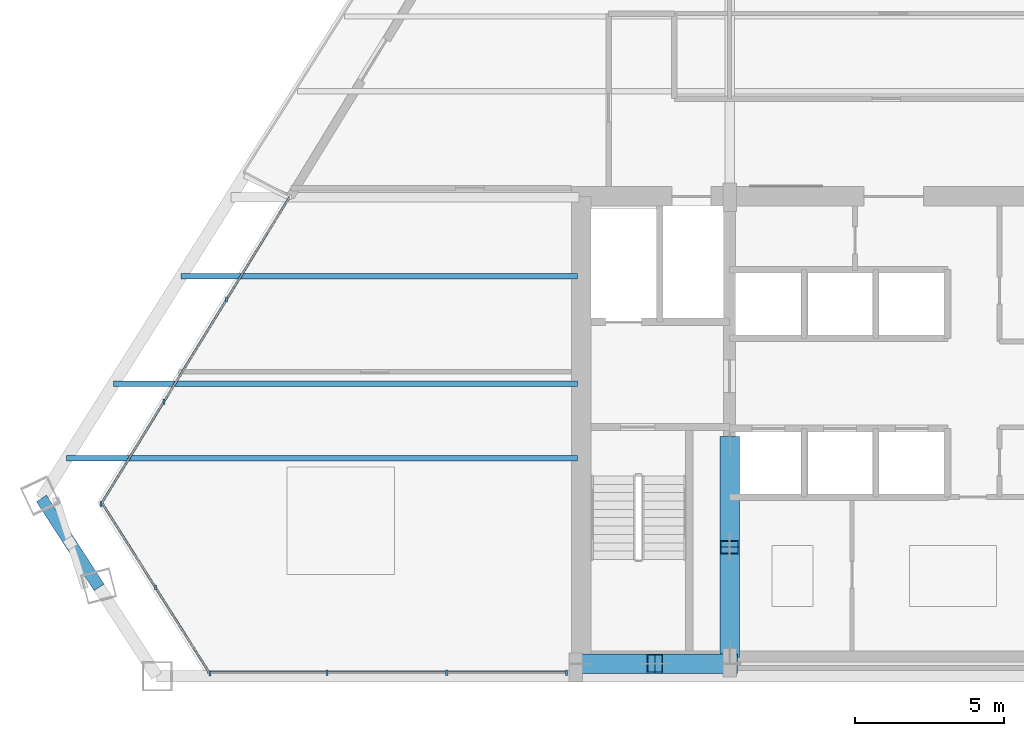
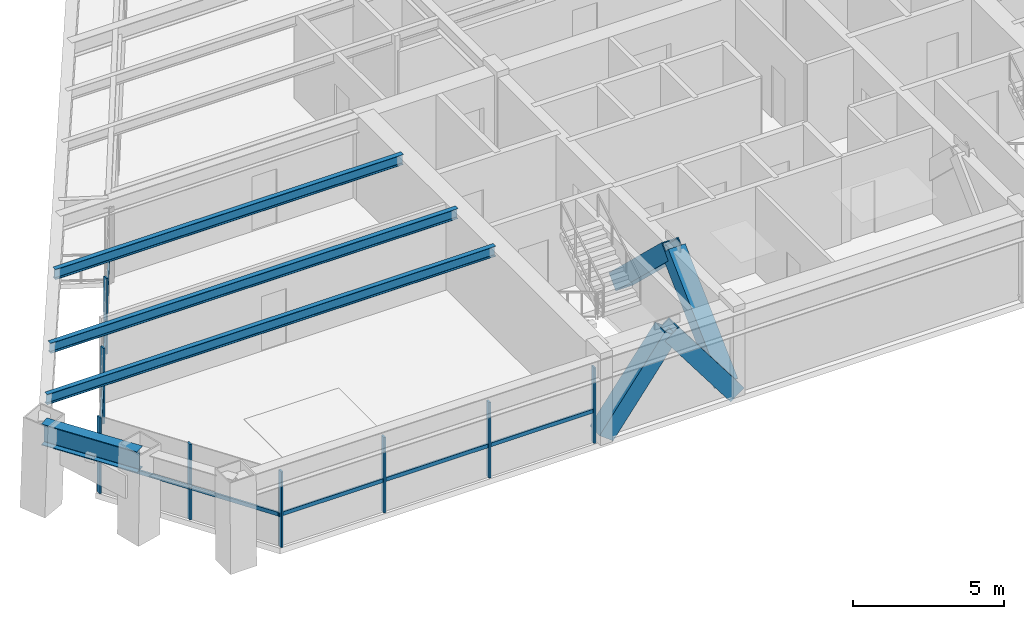
# One storey, part 2 of 15: 20 members, 4 beams, 3 elements without a shape of their own.
"""IFC4 building model written with IfcOpenShell, lengths in metres."""

from ifc_helpers import new_model, si_unit, direction, frame, origin, origin_2d, place, context, subcontext, project, spatial, rectangle, hollow_rectangle, i_section, extrude, source, transform, mapped, material, material_profile, profile_set, type_object, element, aggregate, save


model = new_model("IFC4")

# Units and contexts
model_context = context("Model", 3, precision=1e-05, world=origin(), true_north=direction((0.0, 1.0)))
body_context = subcontext(model_context, "Body", "Model", "MODEL_VIEW")
ifc_project = project(units=[si_unit("LENGTHUNIT", "METRE"), si_unit("AREAUNIT", "SQUARE_METRE"), si_unit("VOLUMEUNIT", "CUBIC_METRE"), si_unit("PLANEANGLEUNIT", "RADIAN"), si_unit("MASSUNIT", "GRAM", prefix="KILO")], contexts=[model_context])

# Site, building, storey
site_placement = place(None, origin())
site = spatial("IfcSite", under=ifc_project, at=site_placement, CompositionType="ELEMENT")
building_placement = place(site_placement, origin())
building = spatial("IfcBuilding", under=site, at=building_placement, Name="Varnakhor Terracotta Tower", CompositionType="ELEMENT")
storey_placement = place(building_placement, frame((0.0, 0.0, 196.89990234375)))
storey = spatial("IfcBuildingStorey", under=building, at=storey_placement, Name="L50", CompositionType="ELEMENT", Elevation=196.89990234375)

# Members
ifc_material_1 = material(Name="Steel S460", Category="steel")
ifc_material_profile_1 = material_profile(ifc_material_1, hollow_rectangle(XDim=0.64990234375, YDim=0.64990234375, WallThickness=0.0400390625, at=origin_2d()), Name="HSS650X650X40")
ifc_profile_set_1 = profile_set([ifc_material_profile_1], Name="Steel S460")
member_type_1 = type_object("IfcMemberType", Name="MBR-MEGA-650", PredefinedType="BRACE", material=ifc_profile_set_1)
shared_shape_1 = source(origin(), body_context, "Body", "SweptSolid", [
    extrude(hollow_rectangle(XDim=0.64990234375, YDim=0.64990234375, WallThickness=0.0400390625, at=origin_2d()), origin(), (0.0, 0.0, 1.0), 4.805908203125),
])
member_1_placement = place(storey_placement, frame((-5.5, 0.85009765625, 0.0), z_axis=(0.0, 0.723026776832, 0.69082000549), x_axis=(-1.0, 0.0, 0.0)))
element("IfcMember", 1, at=member_1_placement, inside=storey, type_object=member_type_1, Name="L50 Core Coupled Brace CWWA", PredefinedType="BRACE", context=body_context, shape_type="MappedRepresentation", body=[
    mapped(shared_shape_1, transform((0.0, 0.0, 0.0), scale=1.0)),
])
shared_shape_2 = source(origin(), body_context, "Body", "SweptSolid", [
    extrude(hollow_rectangle(XDim=0.64990234375, YDim=0.64990234375, WallThickness=0.0400390625, at=origin_2d()), origin(), (0.0, 0.0, 1.0), 4.156005859375),
])
for number, where, z_axis, x_axis, name in (
    (2, (-10.5, 0.419921875, 0.0), (0.601530923869, 0.0, 0.798849515009), (0.0, 1.0, 0.0), "L50 Core Coupled Brace CSWA"),
    (3, (-5.5, 0.419921875, 0.0), (-0.601530923869, 0.0, 0.798849515009), (0.0, -1.0, 0.0), "L50 Core Coupled Brace CSWB"),
):
    element("IfcMember", number, at=place(storey_placement, frame(where, z_axis=z_axis, x_axis=x_axis)), inside=storey, type_object=member_type_1, Name=name, PredefinedType="BRACE", context=body_context, shape_type="MappedRepresentation", body=[
        mapped(shared_shape_2, transform((0.0, 0.0, 0.0), scale=1.0)),
    ])
shared_shape_3 = source(origin(), body_context, "Body", "SweptSolid", [
    extrude(hollow_rectangle(XDim=0.64990234375, YDim=0.64990234375, WallThickness=0.0400390625, at=origin_2d()), origin(), (0.0, 0.0, 1.0), 4.80615234375),
])
member_2_placement = place(storey_placement, frame((-5.5, 7.800048828125, 0.0), z_axis=(0.0, -0.723051018573, 0.690794632681), x_axis=(1.0, 0.0, 0.0)))
element("IfcMember", 4, at=member_2_placement, inside=storey, type_object=member_type_1, Name="L50 Core Coupled Brace CWWB", PredefinedType="BRACE", context=body_context, shape_type="MappedRepresentation", body=[
    mapped(shared_shape_3, transform((0.0, 0.0, 0.0), scale=1.0)),
])

# Beams
ifc_material_2 = material(Name="Steel S355", Category="steel")
ifc_material_profile_2 = material_profile(ifc_material_2, i_section(OverallWidth=0.39990234375, OverallDepth=0.85498046875, WebThickness=0.01806640625, FlangeThickness=0.029052734375, FilletRadius=0.01806640625, at=origin_2d()), Name="W33X201")
ifc_profile_set_2 = profile_set([ifc_material_profile_2], Name="Steel S355")
beam_type_1 = type_object("IfcBeamType", Name="BM-W33X201", PredefinedType="BEAM", material=ifc_profile_set_2)
shared_shape_4 = source(origin(), body_context, "Body", "SweptSolid", [
    extrude(i_section(OverallWidth=0.39990234375, OverallDepth=0.85498046875, WebThickness=0.01806640625, FlangeThickness=0.029052734375, FilletRadius=0.01806640625, at=origin_2d()), origin(), (0.0, 0.0, 1.0), 3.5478515625),
])
beam_1_placement = place(storey_placement, frame((-28.55419921875, 5.954833984375, 3.04248046875), z_axis=(0.543759051079, -0.839241380278, 0.0), x_axis=(0.839241380278, 0.543759051079, 0.0)))
element("IfcBeam", 5, at=beam_1_placement, inside=storey, type_object=beam_type_1, Name="L50 Perimeter Spandrel 7", PredefinedType="BEAM", context=body_context, shape_type="MappedRepresentation", body=[
    mapped(shared_shape_4, transform((0.0, 0.0, 0.0), scale=1.0)),
])
ifc_material_profile_3 = material_profile(ifc_material_2, i_section(OverallWidth=0.179931640625, OverallDepth=0.4130859375, WebThickness=0.009765625, FlangeThickness=0.01611328125, FilletRadius=0.01806640625, at=origin_2d()), Name="W16X50")
ifc_profile_set_3 = profile_set([ifc_material_profile_3], Name="Steel S355")
beam_type_2 = type_object("IfcBeamType", Name="JST-W16X50", PredefinedType="JOIST", material=ifc_profile_set_3)
shared_shape_5 = source(origin(), body_context, "Body", "SweptSolid", [
    extrude(i_section(OverallWidth=0.179931640625, OverallDepth=0.4130859375, WebThickness=0.009765625, FlangeThickness=0.01611328125, FilletRadius=0.01806640625, at=origin_2d()), origin(), (0.0, 0.0, 1.0), 17.108154296875),
])
beam_2_placement = place(storey_placement, frame((-27.708251953125, 7.300048828125, 3.263671875), z_axis=(1.0, 0.0, 0.0), x_axis=(0.0, 1.0, 0.0)))
element("IfcBeam", 6, at=beam_2_placement, inside=storey, type_object=beam_type_2, Name="L50 Floor Joist W1", PredefinedType="JOIST", context=body_context, shape_type="MappedRepresentation", body=[
    mapped(shared_shape_5, transform((0.0, 0.0, 0.0), scale=1.0)),
])
shared_shape_6 = source(origin(), body_context, "Body", "SweptSolid", [
    extrude(i_section(OverallWidth=0.179931640625, OverallDepth=0.4130859375, WebThickness=0.009765625, FlangeThickness=0.01611328125, FilletRadius=0.01806640625, at=origin_2d()), origin(), (0.0, 0.0, 1.0), 15.535888671875),
])
beam_3_placement = place(storey_placement, frame((-26.135986328125, 9.800048828125, 3.263671875), z_axis=(1.0, 0.0, 0.0), x_axis=(0.0, 1.0, 0.0)))
element("IfcBeam", 7, at=beam_3_placement, inside=storey, type_object=beam_type_2, Name="L50 Floor Joist W2", PredefinedType="JOIST", context=body_context, shape_type="MappedRepresentation", body=[
    mapped(shared_shape_6, transform((0.0, 0.0, 0.0), scale=1.0)),
])
shared_shape_7 = source(origin(), body_context, "Body", "SweptSolid", [
    extrude(i_section(OverallWidth=0.179931640625, OverallDepth=0.4130859375, WebThickness=0.009765625, FlangeThickness=0.01611328125, FilletRadius=0.01806640625, at=origin_2d()), origin(), (0.0, 0.0, 1.0), 13.27197265625),
])
beam_4_placement = place(storey_placement, frame((-23.8720703125, 13.39990234375, 3.263671875), z_axis=(1.0, 0.0, 0.0), x_axis=(0.0, 1.0, 0.0)))
element("IfcBeam", 8, at=beam_4_placement, inside=storey, type_object=beam_type_2, Name="L50 Floor Joist W3", PredefinedType="JOIST", context=body_context, shape_type="MappedRepresentation", body=[
    mapped(shared_shape_7, transform((0.0, 0.0, 0.0), scale=1.0)),
])

# Curtain wall, members
ifc_material_3 = material(Name="Anodised Aluminium Curtain Wall System", Category="aluminium")
curtain_wall_type = type_object("IfcCurtainWallType", Name="CW-SYS-MID-OFFICE", PredefinedType="NOTDEFINED", material=ifc_material_3)
curtain_wall_1_placement = place(storey_placement, origin())
curtain_wall_1 = element("IfcCurtainWall", 9, at=curtain_wall_1_placement, inside=storey, type_object=curtain_wall_type, Name="L50 W Facet Curtain Wall 1", PredefinedType="NOTDEFINED")
ifc_material_4 = material(Name="Anodised Aluminium 6063-T6", Category="aluminium")
ifc_material_profile_4 = material_profile(ifc_material_4, rectangle(XDim=0.070068359375, YDim=0.175048828125, at=origin_2d()), Name="ALU MULLION 70x175")
ifc_profile_set_4 = profile_set([ifc_material_profile_4], Name="Anodised Aluminium 6063-T6")
member_type_2 = type_object("IfcMemberType", Name="CWM-03", PredefinedType="MULLION", material=ifc_profile_set_4)
shared_shape_8 = source(origin(), body_context, "Body", "SweptSolid", [
    extrude(rectangle(XDim=0.070068359375, YDim=0.175048828125, at=origin_2d()), origin(), (0.0, 0.0, 1.0), 3.050048828125),
])
member_3_placement = place(storey_placement, frame((-26.552734375, 5.77294921875, 0.0), z_axis=(0.0, 0.0, 1.0), x_axis=(1.0, 0.0, 0.0)))
member_3 = element("IfcMember", 10, at=member_3_placement, type_object=member_type_2, Name="L50 W Facet Curtain Wall 1 Mullion 1", PredefinedType="MULLION", context=body_context, shape_type="MappedRepresentation", body=[
    mapped(shared_shape_8, transform((0.0, 0.0, 0.0), scale=1.0)),
])
member_4_placement = place(storey_placement, frame((-24.451904296875, 9.19677734375, 0.0), z_axis=(0.0, 0.0, 1.0), x_axis=(1.0, 0.0, 0.0)))
member_4 = element("IfcMember", 11, at=member_4_placement, type_object=member_type_2, Name="L50 W Facet Curtain Wall 1 Mullion 2", PredefinedType="MULLION", context=body_context, shape_type="MappedRepresentation", body=[
    mapped(shared_shape_8, transform((0.0, 0.0, 0.0), scale=1.0)),
])
member_5_placement = place(storey_placement, frame((-22.350830078125, 12.62060546875, 0.0), z_axis=(0.0, 0.0, 1.0), x_axis=(1.0, 0.0, 0.0)))
member_5 = element("IfcMember", 12, at=member_5_placement, type_object=member_type_2, Name="L50 W Facet Curtain Wall 1 Mullion 3", PredefinedType="MULLION", context=body_context, shape_type="MappedRepresentation", body=[
    mapped(shared_shape_8, transform((0.0, 0.0, 0.0), scale=1.0)),
])

curtain_wall_2_placement = place(storey_placement, origin())
curtain_wall_2 = element("IfcCurtainWall", 13, at=curtain_wall_2_placement, inside=storey, type_object=curtain_wall_type, Name="L50 South Wing Curtain Wall SSW", PredefinedType="NOTDEFINED")
member_6_placement = place(storey_placement, frame((-10.969970703125, 0.1201171875, 0.0), z_axis=(0.0, 0.0, 1.0), x_axis=(1.0, 0.0, 0.0)))
member_6 = element("IfcMember", 14, at=member_6_placement, type_object=member_type_2, Name="L50 South Wing Curtain Wall SSW Mullion 1", PredefinedType="MULLION", context=body_context, shape_type="MappedRepresentation", body=[
    mapped(shared_shape_8, transform((0.0, 0.0, 0.0), scale=1.0)),
])
member_7_placement = place(storey_placement, frame((-14.976318359375, 0.1201171875, 0.0), z_axis=(0.0, 0.0, 1.0), x_axis=(1.0, 0.0, 0.0)))
member_7 = element("IfcMember", 15, at=member_7_placement, type_object=member_type_2, Name="L50 South Wing Curtain Wall SSW Mullion 2", PredefinedType="MULLION", context=body_context, shape_type="MappedRepresentation", body=[
    mapped(shared_shape_8, transform((0.0, 0.0, 0.0), scale=1.0)),
])
member_8_placement = place(storey_placement, frame((-18.982421875, 0.1201171875, 0.0), z_axis=(0.0, 0.0, 1.0), x_axis=(1.0, 0.0, 0.0)))
member_8 = element("IfcMember", 16, at=member_8_placement, type_object=member_type_2, Name="L50 South Wing Curtain Wall SSW Mullion 3", PredefinedType="MULLION", context=body_context, shape_type="MappedRepresentation", body=[
    mapped(shared_shape_8, transform((0.0, 0.0, 0.0), scale=1.0)),
])

curtain_wall_3_placement = place(storey_placement, origin())
curtain_wall_3 = element("IfcCurtainWall", 17, at=curtain_wall_3_placement, inside=storey, type_object=curtain_wall_type, Name="L50 Facet Curtain Wall 6", PredefinedType="NOTDEFINED")
member_9_placement = place(storey_placement, frame((-22.9130859375, 0.089599609375, 0.0), z_axis=(0.0, 0.0, 1.0), x_axis=(1.0, 0.0, 0.0)))
member_9 = element("IfcMember", 18, at=member_9_placement, type_object=member_type_2, Name="L50 Facet Curtain Wall 6 Mullion 1", PredefinedType="MULLION", context=body_context, shape_type="MappedRepresentation", body=[
    mapped(shared_shape_8, transform((0.0, 0.0, 0.0), scale=1.0)),
])
member_10_placement = place(storey_placement, frame((-24.733154296875, 2.96923828125, 0.0), z_axis=(0.0, 0.0, 1.0), x_axis=(1.0, 0.0, 0.0)))
member_10 = element("IfcMember", 19, at=member_10_placement, type_object=member_type_2, Name="L50 Facet Curtain Wall 6 Mullion 2", PredefinedType="MULLION", context=body_context, shape_type="MappedRepresentation", body=[
    mapped(shared_shape_8, transform((0.0, 0.0, 0.0), scale=1.0)),
])

# Member
ifc_material_profile_5 = material_profile(ifc_material_4, rectangle(XDim=0.070068359375, YDim=0.155029296875, at=origin_2d()), Name="ALU TRANSOM 70x155")
ifc_profile_set_5 = profile_set([ifc_material_profile_5], Name="Anodised Aluminium 6063-T6")
member_type_3 = type_object("IfcMemberType", Name="CWT-03", PredefinedType="USERDEFINED", material=ifc_profile_set_5)
shared_shape_9 = source(origin(), body_context, "Body", "SweptSolid", [
    extrude(rectangle(XDim=0.070068359375, YDim=0.155029296875, at=origin_2d()), origin(), (0.0, 0.0, 1.0), 4.01708984375),
])
member_11_placement = place(storey_placement, frame((-26.552734375, 5.77294921875, 1.281005859375), z_axis=(0.522988122925, 0.852339969308, 0.0), x_axis=(-0.852339969308, 0.522988122925, 0.0)))
member_11 = element("IfcMember", 20, at=member_11_placement, type_object=member_type_3, Name="L50 W Facet Curtain Wall 1 Transom 1", ObjectType="TRANSOM", PredefinedType="USERDEFINED", context=body_context, shape_type="MappedRepresentation", body=[
    mapped(shared_shape_9, transform((0.0, 0.0, 0.0), scale=1.0)),
])

member_12_placement = place(storey_placement, frame((-24.451904296875, 9.19677734375, 1.281005859375), z_axis=(0.523032274475, 0.852312876741, 0.0), x_axis=(-0.852312876741, 0.523032274475, 0.0)))
member_12 = element("IfcMember", 21, at=member_12_placement, type_object=member_type_3, Name="L50 W Facet Curtain Wall 1 Transom 2", ObjectType="TRANSOM", PredefinedType="USERDEFINED", context=body_context, shape_type="MappedRepresentation", body=[
    mapped(shared_shape_9, transform((0.0, 0.0, 0.0), scale=1.0)),
])

shared_shape_10 = source(origin(), body_context, "Body", "SweptSolid", [
    extrude(rectangle(XDim=0.070068359375, YDim=0.155029296875, at=origin_2d()), origin(), (0.0, 0.0, 1.0), 4.016845703125),
])
member_13_placement = place(storey_placement, frame((-22.350830078125, 12.62060546875, 1.281005859375), z_axis=(0.523015216349, 0.852323344434, 0.0), x_axis=(-0.852323344434, 0.523015216349, 0.0)))
member_13 = element("IfcMember", 22, at=member_13_placement, type_object=member_type_3, Name="L50 W Facet Curtain Wall 1 Transom 3", ObjectType="TRANSOM", PredefinedType="USERDEFINED", context=body_context, shape_type="MappedRepresentation", body=[
    mapped(shared_shape_10, transform((0.0, 0.0, 0.0), scale=1.0)),
])

aggregate(curtain_wall_1, [member_3, member_11, member_4, member_12, member_5, member_13])

shared_shape_11 = source(origin(), body_context, "Body", "SweptSolid", [
    extrude(rectangle(XDim=0.070068359375, YDim=0.155029296875, at=origin_2d()), origin(), (0.0, 0.0, 1.0), 4.00634765625),
])
member_14_placement = place(storey_placement, frame((-10.969970703125, 0.1201171875, 1.281005859375), z_axis=(-1.0, 0.0, 0.0), x_axis=(0.0, -1.0, 0.0)))
member_14 = element("IfcMember", 23, at=member_14_placement, type_object=member_type_3, Name="L50 South Wing Curtain Wall SSW Transom 1", ObjectType="TRANSOM", PredefinedType="USERDEFINED", context=body_context, shape_type="MappedRepresentation", body=[
    mapped(shared_shape_11, transform((0.0, 0.0, 0.0), scale=1.0)),
])

shared_shape_12 = source(origin(), body_context, "Body", "SweptSolid", [
    extrude(rectangle(XDim=0.070068359375, YDim=0.155029296875, at=origin_2d()), origin(), (0.0, 0.0, 1.0), 4.006103515625),
])
member_15_placement = place(storey_placement, frame((-14.976318359375, 0.1201171875, 1.281005859375), z_axis=(-1.0, 0.0, 0.0), x_axis=(0.0, -1.0, 0.0)))
member_15 = element("IfcMember", 24, at=member_15_placement, type_object=member_type_3, Name="L50 South Wing Curtain Wall SSW Transom 2", ObjectType="TRANSOM", PredefinedType="USERDEFINED", context=body_context, shape_type="MappedRepresentation", body=[
    mapped(shared_shape_12, transform((0.0, 0.0, 0.0), scale=1.0)),
])

member_16_placement = place(storey_placement, frame((-18.982421875, 0.1201171875, 1.281005859375), z_axis=(-1.0, 0.0, 0.0), x_axis=(0.0, -1.0, 0.0)))
member_16 = element("IfcMember", 25, at=member_16_placement, type_object=member_type_3, Name="L50 South Wing Curtain Wall SSW Transom 3", ObjectType="TRANSOM", PredefinedType="USERDEFINED", context=body_context, shape_type="MappedRepresentation", body=[
    mapped(shared_shape_12, transform((0.0, 0.0, 0.0), scale=1.0)),
])

aggregate(curtain_wall_2, [member_6, member_14, member_7, member_15, member_8, member_16])

shared_shape_13 = source(origin(), body_context, "Body", "SweptSolid", [
    extrude(rectangle(XDim=0.070068359375, YDim=0.155029296875, at=origin_2d()), origin(), (0.0, 0.0, 1.0), 3.406494140625),
])
member_17_placement = place(storey_placement, frame((-22.9130859375, 0.089599609375, 1.281005859375), z_axis=(-0.534276080834, 0.845310043386, 0.0), x_axis=(-0.845310043386, -0.534276080834, 0.0)))
member_17 = element("IfcMember", 26, at=member_17_placement, type_object=member_type_3, Name="L50 Facet Curtain Wall 6 Transom 1", ObjectType="TRANSOM", PredefinedType="USERDEFINED", context=body_context, shape_type="MappedRepresentation", body=[
    mapped(shared_shape_13, transform((0.0, 0.0, 0.0), scale=1.0)),
])

shared_shape_14 = source(origin(), body_context, "Body", "SweptSolid", [
    extrude(rectangle(XDim=0.070068359375, YDim=0.155029296875, at=origin_2d()), origin(), (0.0, 0.0, 1.0), 3.40673828125),
])
member_18_placement = place(storey_placement, frame((-24.733154296875, 2.96923828125, 1.281005859375), z_axis=(-0.534243715597, 0.845330498885, 0.0), x_axis=(-0.845330498885, -0.534243715597, 0.0)))
member_18 = element("IfcMember", 27, at=member_18_placement, type_object=member_type_3, Name="L50 Facet Curtain Wall 6 Transom 2", ObjectType="TRANSOM", PredefinedType="USERDEFINED", context=body_context, shape_type="MappedRepresentation", body=[
    mapped(shared_shape_14, transform((0.0, 0.0, 0.0), scale=1.0)),
])

aggregate(curtain_wall_3, [member_9, member_17, member_10, member_18])

save(model, "model.ifc")
